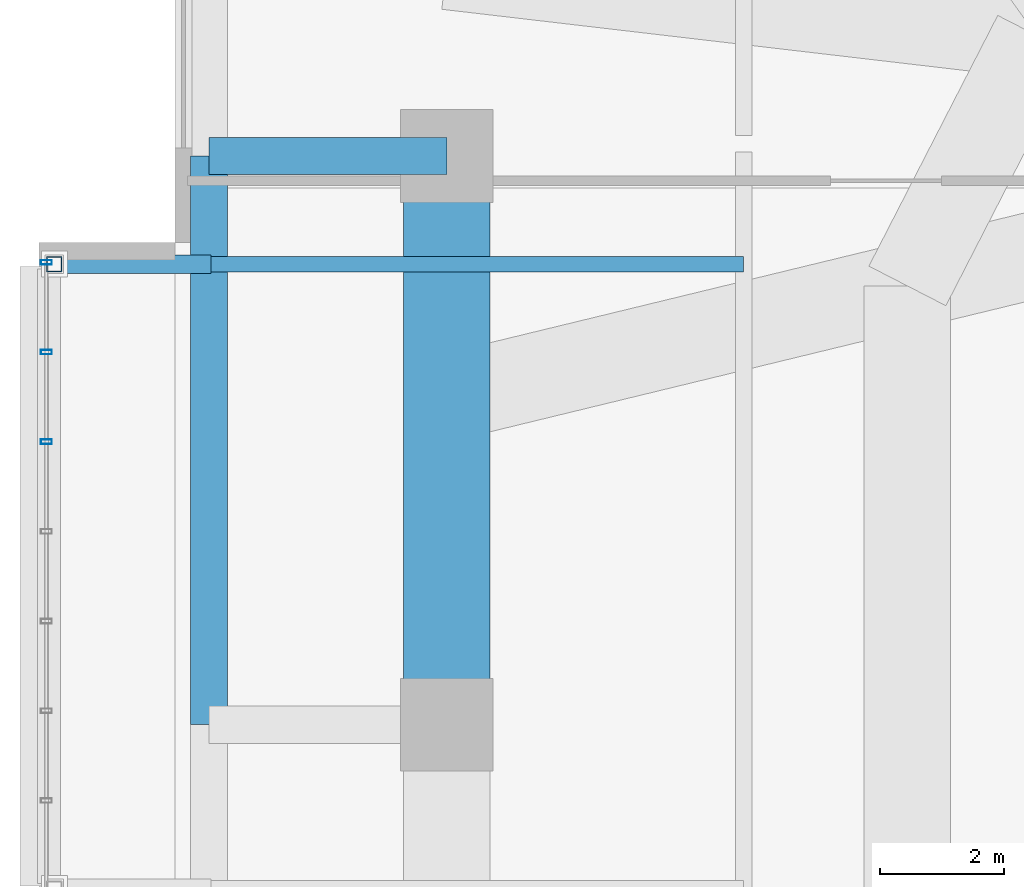
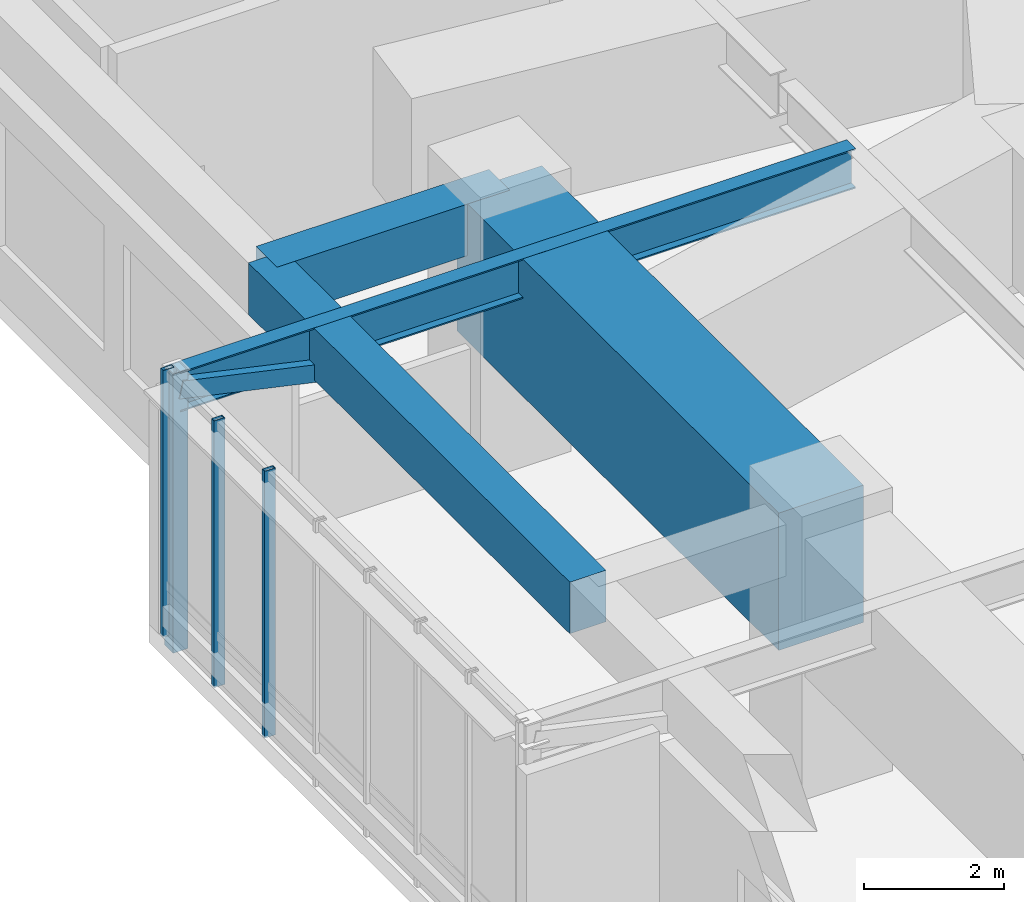
# One storey, part 7 of 26: 5 members, 4 beams, 1 element without a shape of its own.
"""IFC4 building model written with IfcOpenShell, lengths in metres."""

import ifcopenshell
import ifcopenshell.guid

model = None  # the IFC model being written
_history = None  # IfcOwnerHistory: only IFC2X3 demands one
_inside = {}  # id of a spatial element -> (the spatial element, [elements in it])
_under = {}  # id of a project, library or spatial element -> (it, [spatial elements below it])
_declared = {}  # id of a project -> (the project, [libraries it declares])
_typed = {}  # id of a type object -> (the type object, [elements of that type])
_made_of = {}  # id of a material, layer set ... -> (it, [elements and type objects made of it])


def new_model(schema):
    """Start an empty IFC model of exactly this schema.

    Asked for "IFC4X3", IfcOpenShell would pick the latest addendum, in which some entities
    have other attributes; the version numbers below select the first issue.
    IFC2X3 requires an IfcOwnerHistory on every rooted entity: one is made here for all.
    """
    global model, _history
    if schema == "IFC4X3":
        model = ifcopenshell.file(schema_version=(4, 3, 0, 0))
    else:
        model = ifcopenshell.file(schema=schema)
    _inside.clear()
    _under.clear()
    _declared.clear()
    _typed.clear()
    _made_of.clear()
    _history = None
    if model.schema == "IFC2X3":
        org = make("IfcOrganization", Name="unknown")
        user = make(
            "IfcPersonAndOrganization",
            ThePerson=make("IfcPerson", FamilyName="unknown"),
            TheOrganization=org,
        )
        app = make(
            "IfcApplication",
            ApplicationDeveloper=org,
            Version="unknown",
            ApplicationFullName="unknown",
            ApplicationIdentifier="unknown",
        )
        _history = make(
            "IfcOwnerHistory",
            OwningUser=user,
            OwningApplication=app,
            ChangeAction="ADDED",
            CreationDate=0,
        )
    return model


def make(cls, **values):
    """One entity of the class cls with the attributes given. An attribute that is None is left unset."""
    return model.create_entity(
        cls, **{name: value for name, value in values.items() if value is not None}
    )


def rooted(cls, **values):
    """An entity with a GlobalId (a new one), such as an element, a storey or a relation."""
    return make(cls, GlobalId=ifcopenshell.guid.new(), OwnerHistory=_history, **values)


def si_unit(unit_type, name, prefix=None):
    """IfcSIUnit, for example si_unit("LENGTHUNIT", "METRE", prefix="MILLI")."""
    return make("IfcSIUnit", UnitType=unit_type, Prefix=prefix, Name=name)


def assignment(units):
    """IfcUnitAssignment: the units of a project."""
    return None if units is None else make("IfcUnitAssignment", Units=units)


def point(xyz):
    """IfcCartesianPoint."""
    return None if xyz is None else make("IfcCartesianPoint", Coordinates=xyz)


def direction(xyz):
    """IfcDirection."""
    return None if xyz is None else make("IfcDirection", DirectionRatios=xyz)


def frame(location, z_axis=None, x_axis=None):
    """IfcAxis2Placement3D, a coordinate frame: its origin and axes. An axis left out is left unset."""
    return make(
        "IfcAxis2Placement3D",
        Location=point(location),
        Axis=direction(z_axis),
        RefDirection=direction(x_axis),
    )


def frame_2d(location, x_axis=None):
    """IfcAxis2Placement2D, a coordinate frame in the plane: its origin and x axis."""
    return make(
        "IfcAxis2Placement2D", Location=point(location), RefDirection=direction(x_axis)
    )


def origin():
    """The frame at (0, 0, 0) with its axes left unset."""
    return frame((0.0, 0.0, 0.0))


def origin_2d():
    """The frame at (0, 0) in the plane with its x axis left unset."""
    return frame_2d((0.0, 0.0))


def place(relative_to, where):
    """IfcLocalPlacement: puts the frame where relative to a parent placement (None: the world)."""
    return make(
        "IfcLocalPlacement", PlacementRelTo=relative_to, RelativePlacement=where
    )


def context(
    kind, dimensions, precision=None, world=None, true_north=None, identifier=None
):
    """IfcGeometricRepresentationContext, for example the 3D "Model" context."""
    return make(
        "IfcGeometricRepresentationContext",
        ContextIdentifier=identifier,
        ContextType=kind,
        CoordinateSpaceDimension=dimensions,
        Precision=precision,
        WorldCoordinateSystem=world,
        TrueNorth=true_north,
    )


def subcontext(parent, identifier, kind, view, scale=None):
    """IfcGeometricRepresentationSubContext, for example "Body" below "Model"."""
    return make(
        "IfcGeometricRepresentationSubContext",
        ContextIdentifier=identifier,
        ContextType=kind,
        ParentContext=parent,
        TargetScale=scale,
        TargetView=view,
    )


def project(units=None, contexts=None):
    """IfcProject with its units and contexts."""
    return rooted(
        "IfcProject",
        Name="project",
        RepresentationContexts=contexts,
        UnitsInContext=assignment(units),
    )


def spatial(cls, under=None, at=None, **own):
    """A site, building, storey or space (cls), placed at a placement, below another one or the project."""
    s = rooted(cls, ObjectPlacement=at, **own)
    if under is not None:
        _under.setdefault(under.id(), (under, []))[1].append(s)
    return s


def profile(cls, at=None, kind="AREA", **sizes):
    """A parametric profile (cls). Its sizes go by their IFC names, for example OverallWidth=200.0."""
    return make(cls, ProfileType=kind, Position=at, **sizes)


def rectangle(**sizes):
    """IfcRectangleProfileDef."""
    return profile("IfcRectangleProfileDef", **sizes)


def hollow_rectangle(**sizes):
    """IfcRectangleHollowProfileDef."""
    return profile("IfcRectangleHollowProfileDef", **sizes)


def i_section(**sizes):
    """IfcIShapeProfileDef."""
    return profile("IfcIShapeProfileDef", **sizes)


def extrude(swept, where, along, depth):
    """IfcExtrudedAreaSolid: the profile swept, set in the frame where, extruded along a direction by depth."""
    return make(
        "IfcExtrudedAreaSolid",
        SweptArea=swept,
        Position=where,
        ExtrudedDirection=direction(along),
        Depth=depth,
    )


def shape(context_of_items, identifier, shape_type, items):
    """IfcShapeRepresentation: the items that make up one representation, for example the "Body"."""
    return make(
        "IfcShapeRepresentation",
        ContextOfItems=context_of_items,
        RepresentationIdentifier=identifier,
        RepresentationType=shape_type,
        Items=items,
    )


def material(Name=None, Category=None):
    """IfcMaterial."""
    return make("IfcMaterial", Name=Name, Category=Category)


def material_profile(
    of_material, cross_section, Name=None, Category=None, Priority=None
):
    """IfcMaterialProfile: a cross section and its material."""
    return make(
        "IfcMaterialProfile",
        Name=Name,
        Material=of_material,
        Profile=cross_section,
        Priority=Priority,
        Category=Category,
    )


def profile_set(profiles, Name=None, composite=None):
    """IfcMaterialProfileSet."""
    return make(
        "IfcMaterialProfileSet",
        Name=Name,
        MaterialProfiles=profiles,
        CompositeProfile=composite,
    )


def made_of(thing, what):
    """Note that an element or type object is made of a material, layer set ...; save() writes the relation."""
    if what is not None:
        _made_of.setdefault(what.id(), (what, []))[1].append(thing)
    return thing


def type_object(cls, material=None, **own):
    """A type object (cls), such as IfcWallType, which elements share."""
    return made_of(rooted(cls, **own), material)


def element(
    cls,
    number,
    at=None,
    inside=None,
    cuts=None,
    type_object=None,
    material=None,
    context=None,
    identifier="Body",
    shape_type=None,
    held_by="IfcProductDefinitionShape",
    body=None,
    shapes=None,
    **own,
):
    """One element of the class cls, such as IfcWall. Its Tag is "e" and its number.

    at: its placement. inside: the storey or other place that contains it. cuts: it is an
    opening in that element (IfcRelVoidsElement). A single representation is given by context,
    identifier, shape_type and body (its items); several are given by shapes. held_by: the class
    of the entity that holds the representations. save() writes the other relations.
    """
    e = rooted(cls, Tag="e%d" % number, ObjectPlacement=at, **own)
    if body is not None:
        shapes = [shape(context, identifier, shape_type, body)]
    if shapes is not None:
        e.Representation = make(held_by, Representations=shapes)
    if inside is not None:
        _inside.setdefault(inside.id(), (inside, []))[1].append(e)
    if cuts is not None:
        rooted(
            "IfcRelVoidsElement", RelatingBuildingElement=cuts, RelatedOpeningElement=e
        )
    if type_object is not None:
        _typed.setdefault(type_object.id(), (type_object, []))[1].append(e)
    return made_of(e, material)


def aggregate(whole, parts):
    """IfcRelAggregates: a whole, such as a stair, and the parts it consists of."""
    return rooted("IfcRelAggregates", RelatingObject=whole, RelatedObjects=parts)


def save(model, path):
    """Write the relations noted so far, then the file.

    IfcRelAggregates (storeys below a building ...), IfcRelContainedInSpatialStructure (elements
    in a storey), IfcRelDefinesByType, IfcRelAssociatesMaterial and IfcRelDeclares: one each for
    every whole, place, type object, material and project.
    """
    for whole, parts in _under.values():
        aggregate(whole, parts)
    for where, things in _inside.values():
        rooted(
            "IfcRelContainedInSpatialStructure",
            RelatedElements=things,
            RelatingStructure=where,
        )
    for kind, things in _typed.values():
        rooted("IfcRelDefinesByType", RelatedObjects=things, RelatingType=kind)
    for what, things in _made_of.values():
        rooted("IfcRelAssociatesMaterial", RelatedObjects=things, RelatingMaterial=what)
    for by, libraries in _declared.values():
        rooted("IfcRelDeclares", RelatingContext=by, RelatedDefinitions=libraries)
    model.write(path)


model = new_model("IFC4")

# Units and contexts
model_context = context("Model", 3, precision=1e-05, world=origin(), true_north=direction((0.0, 1.0)))
body_context = subcontext(model_context, "Body", "Model", "MODEL_VIEW")
ifc_project = project(units=[si_unit("LENGTHUNIT", "METRE"), si_unit("AREAUNIT", "SQUARE_METRE"), si_unit("VOLUMEUNIT", "CUBIC_METRE"), si_unit("PLANEANGLEUNIT", "RADIAN"), si_unit("MASSUNIT", "GRAM", prefix="KILO")], contexts=[model_context])

# Site, building, storey
site_placement = place(None, origin())
site = spatial("IfcSite", under=ifc_project, at=site_placement, CompositionType="ELEMENT")
building_placement = place(site_placement, origin())
building = spatial("IfcBuilding", under=site, at=building_placement, Name="Zulverin Broadcast Headquarters", CompositionType="ELEMENT")
storey_placement = place(building_placement, frame((0.0, 0.0, 20.0)))
storey = spatial("IfcBuildingStorey", under=building, at=storey_placement, Name="L04", CompositionType="ELEMENT", Elevation=20.0)

# Beams
ifc_material_1 = material(Name="Concrete C40/50", Category="concrete")
ifc_material_profile_1 = material_profile(ifc_material_1, rectangle(XDim=0.60009765625, YDim=0.89990234375, at=origin_2d()), Name="Concrete C40/50", Category="concrete")
ifc_profile_set_1 = profile_set([ifc_material_profile_1], Name="Concrete C40/50")
beam_type_1 = type_object("IfcBeamType", Name="BM-RC-600x900", PredefinedType="BEAM", material=ifc_profile_set_1)
beam_1_placement = place(storey_placement, frame((4.39990234375, 34.39990234375, 4.14990234375), z_axis=(-1.0, 0.0, 0.0), x_axis=(0.0, -1.0, 0.0)))
element("IfcBeam", 1, at=beam_1_placement, inside=storey, type_object=beam_type_1, Name="L04 West Perimeter Bracket Girder WBR-3", PredefinedType="BEAM", context=body_context, shape_type="SweptSolid", body=[
    extrude(rectangle(XDim=0.60009765625, YDim=0.89990234375, at=origin_2d()), origin(), (0.0, 0.0, 1.0), 3.849853515625),
])
beam_2_placement = place(storey_placement, frame((0.550048828125, 25.199951171875, 4.14990234375), z_axis=(0.0, 1.0, 0.0), x_axis=(-1.0, 0.0, 0.0)))
element("IfcBeam", 2, at=beam_2_placement, inside=storey, type_object=beam_type_1, Name="L04 West Edge Spandrel Girder WEG-2", PredefinedType="BEAM", context=body_context, shape_type="SweptSolid", body=[
    extrude(rectangle(XDim=0.60009765625, YDim=0.89990234375, at=origin_2d()), origin(), (0.0, 0.0, 1.0), 9.199951171875),
])
ifc_material_2 = material(Name="Concrete C60/75", Category="concrete")
ifc_material_profile_2 = material_profile(ifc_material_2, rectangle(XDim=1.39990234375, YDim=2.39990234375, at=origin_2d()), Name="Concrete C60/75", Category="concrete")
ifc_profile_set_2 = profile_set([ifc_material_profile_2], Name="Concrete C60/75")
beam_type_2 = type_object("IfcBeamType", Name="BM-TG-1400x2400", PredefinedType="USERDEFINED", material=ifc_profile_set_2)
beam_3_placement = place(storey_placement, frame((4.39990234375, 34.39990234375, 3.39990234375), z_axis=(0.0, -1.0, 0.0), x_axis=(1.0, 0.0, 0.0)))
element("IfcBeam", 3, at=beam_3_placement, inside=storey, type_object=beam_type_2, Name="L04 Podium Transfer Ring Girder P13-P12", ObjectType="TRANSFER GIRDER", PredefinedType="USERDEFINED", context=body_context, shape_type="SweptSolid", body=[
    extrude(rectangle(XDim=1.39990234375, YDim=2.39990234375, at=origin_2d()), origin(), (0.0, 0.0, 1.0), 9.199951171875),
])
ifc_material_3 = material(Name="Structural steel S355JR", Category="steel")
ifc_material_profile_3 = material_profile(ifc_material_3, i_section(OverallWidth=0.255859375, OverallDepth=0.69287109375, WebThickness=0.014404296875, FlangeThickness=0.023681640625, at=origin_2d()), Name="Structural steel S355JR", Category="steel")
ifc_profile_set_3 = profile_set([ifc_material_profile_3], Name="Structural steel S355JR")
beam_type_3 = type_object("IfcBeamType", Name="BM-UB-686", PredefinedType="BEAM", material=ifc_profile_set_3)
beam_4_placement = place(storey_placement, frame((9.199951171875, 32.64990234375, 4.253662109375), z_axis=(-1.0, 0.0, 0.0), x_axis=(0.0, -1.0, 0.0)))
element("IfcBeam", 4, at=beam_4_placement, inside=storey, type_object=beam_type_3, Name="L04 Studio Box Cantilever Girder SBOX_POD_UPPER_W1-2", PredefinedType="BEAM", context=body_context, shape_type="SweptSolid", body=[
    extrude(i_section(OverallWidth=0.255859375, OverallDepth=0.69287109375, WebThickness=0.014404296875, FlangeThickness=0.023681640625, at=origin_2d()), origin(), (0.0, 0.0, 1.0), 11.14990234375),
])

# Curtain wall, members
ifc_material_4 = material(Name="Acoustic triple-glazed studio box curtain wall", Category="aluminium")
curtain_wall_type = type_object("IfcCurtainWallType", Name="CW-SBOX", PredefinedType="USERDEFINED", material=ifc_material_4)
curtain_wall_placement = place(storey_placement, origin())
curtain_wall = element("IfcCurtainWall", 5, at=curtain_wall_placement, inside=storey, type_object=curtain_wall_type, Name="L04 Unitised Curtain Wall CW-L04-SBOX_POD_UPPER_W1-F", ObjectType="UNITISED CURTAIN WALL", PredefinedType="USERDEFINED")
ifc_material_5 = material(Name="Anodized pale-metal aluminium alloy 6063-T6", Category="aluminium")
ifc_material_profile_4 = material_profile(ifc_material_5, hollow_rectangle(XDim=0.074951171875, YDim=0.179931640625, WallThickness=0.0048828125, at=origin_2d()), Name="Anodized pale-metal aluminium alloy 6063-T6", Category="aluminium")
ifc_profile_set_4 = profile_set([ifc_material_profile_4], Name="Anodized pale-metal aluminium alloy 6063-T6")
member_type_1 = type_object("IfcMemberType", Name="CW-MUL-180", PredefinedType="MULLION", material=ifc_profile_set_4)
member_1_placement = place(storey_placement, frame((-2.080078125, 32.679931640625, -0.030029296875), z_axis=(0.0, 0.0, 1.0), x_axis=(0.0, -1.0, 0.0)))
member_1 = element("IfcMember", 6, at=member_1_placement, type_object=member_type_1, Name="CW-L04-SBOX_POD_UPPER_W1-F Mullion 00", PredefinedType="MULLION", context=body_context, shape_type="SweptSolid", body=[
    extrude(hollow_rectangle(XDim=0.074951171875, YDim=0.179931640625, WallThickness=0.0048828125, at=origin_2d()), origin(), (0.0, 0.0, 1.0), 4.659912109375),
])
member_2_placement = place(storey_placement, frame((-2.080078125, 31.228515625, -0.030029296875), z_axis=(0.0, 0.0, 1.0), x_axis=(0.0, -1.0, 0.0)))
member_2 = element("IfcMember", 7, at=member_2_placement, type_object=member_type_1, Name="CW-L04-SBOX_POD_UPPER_W1-F Mullion 01", PredefinedType="MULLION", context=body_context, shape_type="SweptSolid", body=[
    extrude(hollow_rectangle(XDim=0.074951171875, YDim=0.179931640625, WallThickness=0.0048828125, at=origin_2d()), origin(), (0.0, 0.0, 1.0), 4.659912109375),
])
member_3_placement = place(storey_placement, frame((-2.080078125, 29.777099609375, -0.030029296875), z_axis=(0.0, 0.0, 1.0), x_axis=(0.0, -1.0, 0.0)))
member_3 = element("IfcMember", 8, at=member_3_placement, type_object=member_type_1, Name="CW-L04-SBOX_POD_UPPER_W1-F Mullion 02", PredefinedType="MULLION", context=body_context, shape_type="SweptSolid", body=[
    extrude(hollow_rectangle(XDim=0.074951171875, YDim=0.179931640625, WallThickness=0.0048828125, at=origin_2d()), origin(), (0.0, 0.0, 1.0), 4.659912109375),
])
aggregate(curtain_wall, [member_1, member_2, member_3])

# Members
ifc_material_profile_5 = material_profile(ifc_material_3, hollow_rectangle(XDim=0.300048828125, YDim=0.300048828125, WallThickness=0.01611328125, at=origin_2d()), Name="Structural steel S355JR", Category="steel")
ifc_profile_set_5 = profile_set([ifc_material_profile_5], Name="Structural steel S355JR")
member_type_2 = type_object("IfcMemberType", Name="MBR-BLT-DIAG1", PredefinedType="BRACE", material=ifc_profile_set_5)
member_4_placement = place(storey_placement, frame((0.550048828125, 32.64990234375, 3.75), z_axis=(-0.976640463768, 0.0, 0.214879977038), x_axis=(0.0, -1.0, 0.0)))
element("IfcMember", 9, at=member_4_placement, inside=storey, type_object=member_type_2, Name="L04 Studio Box Raking Knee Brace SBOX_POD_UPPER_W1-2", PredefinedType="BRACE", context=body_context, shape_type="SweptSolid", body=[
    extrude(hollow_rectangle(XDim=0.300048828125, YDim=0.300048828125, WallThickness=0.01611328125, at=origin_2d()), origin(), (0.0, 0.0, 1.0), 2.559814453125),
])
ifc_material_profile_6 = material_profile(ifc_material_3, hollow_rectangle(XDim=0.25, YDim=0.25, WallThickness=0.01611328125, at=origin_2d()), Name="Structural steel S355JR", Category="steel")
ifc_profile_set_6 = profile_set([ifc_material_profile_6], Name="Structural steel S355JR")
member_type_3 = type_object("IfcMemberType", Name="MBR-BLT-POST", PredefinedType="POST", material=ifc_profile_set_6)
member_5_placement = place(storey_placement, frame((-1.949951171875, 32.64990234375, -0.27001953125), z_axis=(0.0, 0.0, 1.0), x_axis=(1.0, 0.0, 0.0)))
element("IfcMember", 10, at=member_5_placement, inside=storey, type_object=member_type_3, Name="L04 Shifted Studio Box Frame Post SBOX_POD_UPPER_W1-2", PredefinedType="POST", context=body_context, shape_type="SweptSolid", body=[
    extrude(hollow_rectangle(XDim=0.25, YDim=0.25, WallThickness=0.01611328125, at=origin_2d()), origin(), (0.0, 0.0, 1.0), 4.8701171875),
])

save(model, "model.ifc")
